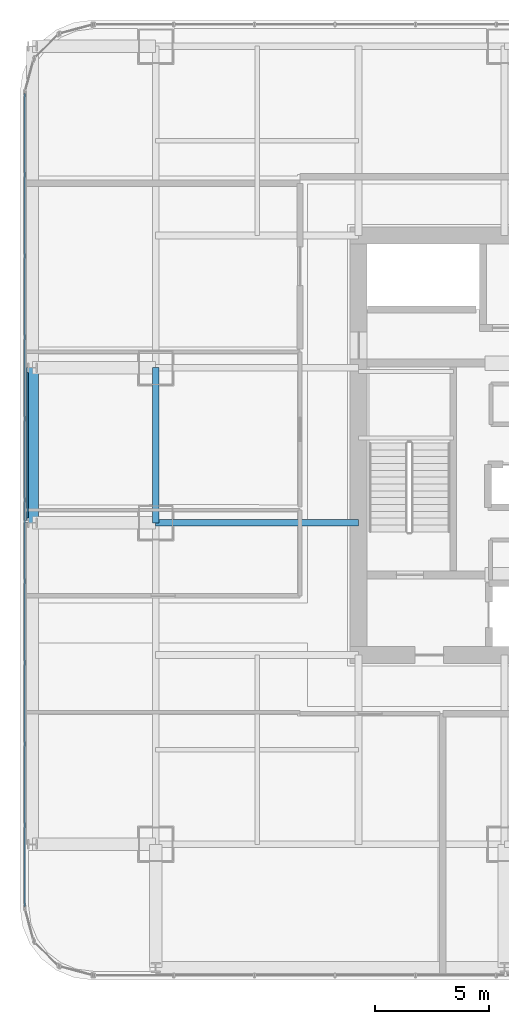
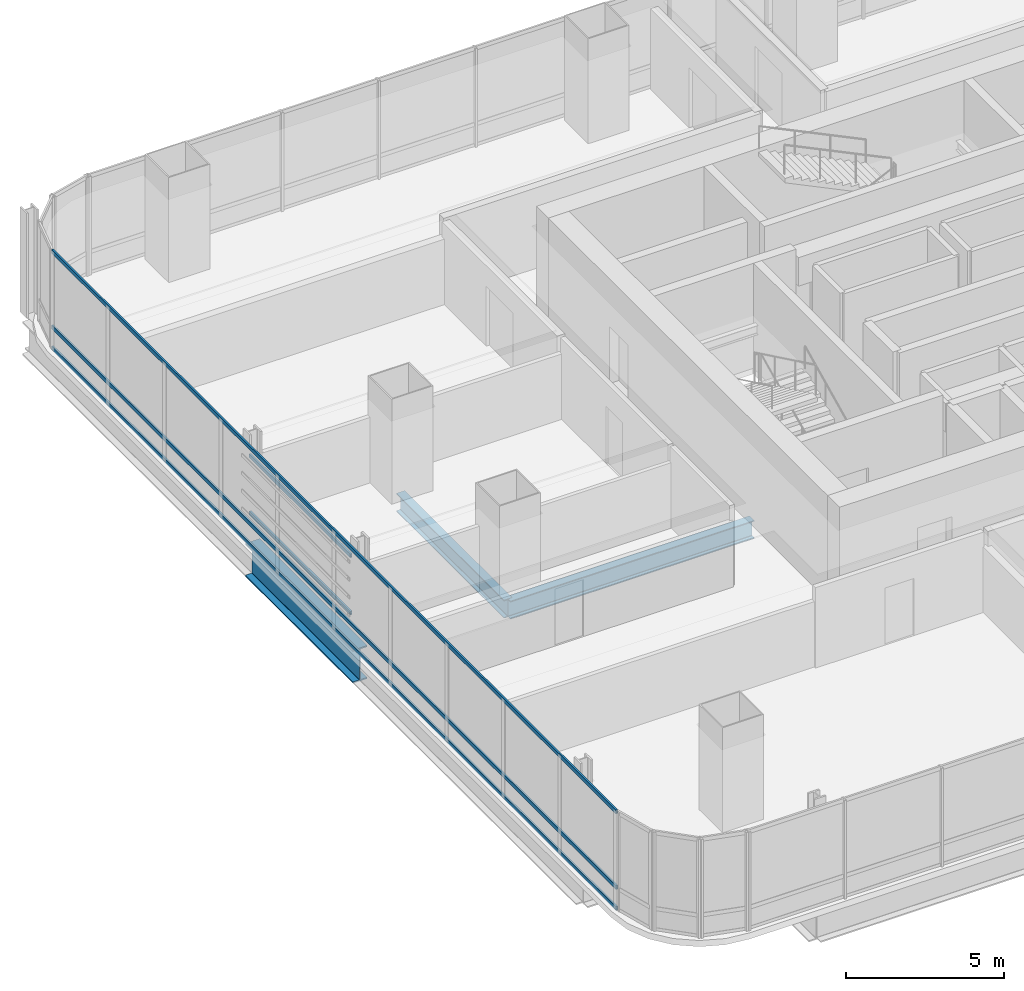
# One storey, part 10 of 36: 5 members, 3 beams, 1 element without a shape of its own.
"""IFC4 building model written with IfcOpenShell, lengths in metres."""

import ifcopenshell
import ifcopenshell.guid

model = None  # the IFC model being written
_history = None  # IfcOwnerHistory: only IFC2X3 demands one
_inside = {}  # id of a spatial element -> (the spatial element, [elements in it])
_under = {}  # id of a project, library or spatial element -> (it, [spatial elements below it])
_declared = {}  # id of a project -> (the project, [libraries it declares])
_typed = {}  # id of a type object -> (the type object, [elements of that type])
_made_of = {}  # id of a material, layer set ... -> (it, [elements and type objects made of it])


def new_model(schema):
    """Start an empty IFC model of exactly this schema.

    Asked for "IFC4X3", IfcOpenShell would pick the latest addendum, in which some entities
    have other attributes; the version numbers below select the first issue.
    IFC2X3 requires an IfcOwnerHistory on every rooted entity: one is made here for all.
    """
    global model, _history
    if schema == "IFC4X3":
        model = ifcopenshell.file(schema_version=(4, 3, 0, 0))
    else:
        model = ifcopenshell.file(schema=schema)
    _inside.clear()
    _under.clear()
    _declared.clear()
    _typed.clear()
    _made_of.clear()
    _history = None
    if model.schema == "IFC2X3":
        org = make("IfcOrganization", Name="unknown")
        user = make(
            "IfcPersonAndOrganization",
            ThePerson=make("IfcPerson", FamilyName="unknown"),
            TheOrganization=org,
        )
        app = make(
            "IfcApplication",
            ApplicationDeveloper=org,
            Version="unknown",
            ApplicationFullName="unknown",
            ApplicationIdentifier="unknown",
        )
        _history = make(
            "IfcOwnerHistory",
            OwningUser=user,
            OwningApplication=app,
            ChangeAction="ADDED",
            CreationDate=0,
        )
    return model


def make(cls, **values):
    """One entity of the class cls with the attributes given. An attribute that is None is left unset."""
    return model.create_entity(
        cls, **{name: value for name, value in values.items() if value is not None}
    )


def rooted(cls, **values):
    """An entity with a GlobalId (a new one), such as an element, a storey or a relation."""
    return make(cls, GlobalId=ifcopenshell.guid.new(), OwnerHistory=_history, **values)


def si_unit(unit_type, name, prefix=None):
    """IfcSIUnit, for example si_unit("LENGTHUNIT", "METRE", prefix="MILLI")."""
    return make("IfcSIUnit", UnitType=unit_type, Prefix=prefix, Name=name)


def assignment(units):
    """IfcUnitAssignment: the units of a project."""
    return None if units is None else make("IfcUnitAssignment", Units=units)


def point(xyz):
    """IfcCartesianPoint."""
    return None if xyz is None else make("IfcCartesianPoint", Coordinates=xyz)


def direction(xyz):
    """IfcDirection."""
    return None if xyz is None else make("IfcDirection", DirectionRatios=xyz)


def frame(location, z_axis=None, x_axis=None):
    """IfcAxis2Placement3D, a coordinate frame: its origin and axes. An axis left out is left unset."""
    return make(
        "IfcAxis2Placement3D",
        Location=point(location),
        Axis=direction(z_axis),
        RefDirection=direction(x_axis),
    )


def frame_2d(location, x_axis=None):
    """IfcAxis2Placement2D, a coordinate frame in the plane: its origin and x axis."""
    return make(
        "IfcAxis2Placement2D", Location=point(location), RefDirection=direction(x_axis)
    )


def origin():
    """The frame at (0, 0, 0) with its axes left unset."""
    return frame((0.0, 0.0, 0.0))


def origin_2d():
    """The frame at (0, 0) in the plane with its x axis left unset."""
    return frame_2d((0.0, 0.0))


def place(relative_to, where):
    """IfcLocalPlacement: puts the frame where relative to a parent placement (None: the world)."""
    return make(
        "IfcLocalPlacement", PlacementRelTo=relative_to, RelativePlacement=where
    )


def context(
    kind, dimensions, precision=None, world=None, true_north=None, identifier=None
):
    """IfcGeometricRepresentationContext, for example the 3D "Model" context."""
    return make(
        "IfcGeometricRepresentationContext",
        ContextIdentifier=identifier,
        ContextType=kind,
        CoordinateSpaceDimension=dimensions,
        Precision=precision,
        WorldCoordinateSystem=world,
        TrueNorth=true_north,
    )


def subcontext(parent, identifier, kind, view, scale=None):
    """IfcGeometricRepresentationSubContext, for example "Body" below "Model"."""
    return make(
        "IfcGeometricRepresentationSubContext",
        ContextIdentifier=identifier,
        ContextType=kind,
        ParentContext=parent,
        TargetScale=scale,
        TargetView=view,
    )


def project(units=None, contexts=None):
    """IfcProject with its units and contexts."""
    return rooted(
        "IfcProject",
        Name="project",
        RepresentationContexts=contexts,
        UnitsInContext=assignment(units),
    )


def spatial(cls, under=None, at=None, **own):
    """A site, building, storey or space (cls), placed at a placement, below another one or the project."""
    s = rooted(cls, ObjectPlacement=at, **own)
    if under is not None:
        _under.setdefault(under.id(), (under, []))[1].append(s)
    return s


def profile(cls, at=None, kind="AREA", **sizes):
    """A parametric profile (cls). Its sizes go by their IFC names, for example OverallWidth=200.0."""
    return make(cls, ProfileType=kind, Position=at, **sizes)


def hollow_rectangle(**sizes):
    """IfcRectangleHollowProfileDef."""
    return profile("IfcRectangleHollowProfileDef", **sizes)


def i_section(**sizes):
    """IfcIShapeProfileDef."""
    return profile("IfcIShapeProfileDef", **sizes)


def extrude(swept, where, along, depth):
    """IfcExtrudedAreaSolid: the profile swept, set in the frame where, extruded along a direction by depth."""
    return make(
        "IfcExtrudedAreaSolid",
        SweptArea=swept,
        Position=where,
        ExtrudedDirection=direction(along),
        Depth=depth,
    )


def shape(context_of_items, identifier, shape_type, items):
    """IfcShapeRepresentation: the items that make up one representation, for example the "Body"."""
    return make(
        "IfcShapeRepresentation",
        ContextOfItems=context_of_items,
        RepresentationIdentifier=identifier,
        RepresentationType=shape_type,
        Items=items,
    )


def material(Name=None, Category=None):
    """IfcMaterial."""
    return make("IfcMaterial", Name=Name, Category=Category)


def material_profile(
    of_material, cross_section, Name=None, Category=None, Priority=None
):
    """IfcMaterialProfile: a cross section and its material."""
    return make(
        "IfcMaterialProfile",
        Name=Name,
        Material=of_material,
        Profile=cross_section,
        Priority=Priority,
        Category=Category,
    )


def profile_set(profiles, Name=None, composite=None):
    """IfcMaterialProfileSet."""
    return make(
        "IfcMaterialProfileSet",
        Name=Name,
        MaterialProfiles=profiles,
        CompositeProfile=composite,
    )


def made_of(thing, what):
    """Note that an element or type object is made of a material, layer set ...; save() writes the relation."""
    if what is not None:
        _made_of.setdefault(what.id(), (what, []))[1].append(thing)
    return thing


def type_object(cls, material=None, **own):
    """A type object (cls), such as IfcWallType, which elements share."""
    return made_of(rooted(cls, **own), material)


def element(
    cls,
    number,
    at=None,
    inside=None,
    cuts=None,
    type_object=None,
    material=None,
    context=None,
    identifier="Body",
    shape_type=None,
    held_by="IfcProductDefinitionShape",
    body=None,
    shapes=None,
    **own,
):
    """One element of the class cls, such as IfcWall. Its Tag is "e" and its number.

    at: its placement. inside: the storey or other place that contains it. cuts: it is an
    opening in that element (IfcRelVoidsElement). A single representation is given by context,
    identifier, shape_type and body (its items); several are given by shapes. held_by: the class
    of the entity that holds the representations. save() writes the other relations.
    """
    e = rooted(cls, Tag="e%d" % number, ObjectPlacement=at, **own)
    if body is not None:
        shapes = [shape(context, identifier, shape_type, body)]
    if shapes is not None:
        e.Representation = make(held_by, Representations=shapes)
    if inside is not None:
        _inside.setdefault(inside.id(), (inside, []))[1].append(e)
    if cuts is not None:
        rooted(
            "IfcRelVoidsElement", RelatingBuildingElement=cuts, RelatedOpeningElement=e
        )
    if type_object is not None:
        _typed.setdefault(type_object.id(), (type_object, []))[1].append(e)
    return made_of(e, material)


def aggregate(whole, parts):
    """IfcRelAggregates: a whole, such as a stair, and the parts it consists of."""
    return rooted("IfcRelAggregates", RelatingObject=whole, RelatedObjects=parts)


def save(model, path):
    """Write the relations noted so far, then the file.

    IfcRelAggregates (storeys below a building ...), IfcRelContainedInSpatialStructure (elements
    in a storey), IfcRelDefinesByType, IfcRelAssociatesMaterial and IfcRelDeclares: one each for
    every whole, place, type object, material and project.
    """
    for whole, parts in _under.values():
        aggregate(whole, parts)
    for where, things in _inside.values():
        rooted(
            "IfcRelContainedInSpatialStructure",
            RelatedElements=things,
            RelatingStructure=where,
        )
    for kind, things in _typed.values():
        rooted("IfcRelDefinesByType", RelatedObjects=things, RelatingType=kind)
    for what, things in _made_of.values():
        rooted("IfcRelAssociatesMaterial", RelatedObjects=things, RelatingMaterial=what)
    for by, libraries in _declared.values():
        rooted("IfcRelDeclares", RelatingContext=by, RelatedDefinitions=libraries)
    model.write(path)


model = new_model("IFC4")

# Units and contexts
model_context = context("Model", 3, precision=1e-05, world=origin(), true_north=direction((0.0, 1.0)))
body_context = subcontext(model_context, "Body", "Model", "MODEL_VIEW")
ifc_project = project(units=[si_unit("LENGTHUNIT", "METRE"), si_unit("AREAUNIT", "SQUARE_METRE"), si_unit("VOLUMEUNIT", "CUBIC_METRE"), si_unit("PLANEANGLEUNIT", "RADIAN"), si_unit("MASSUNIT", "GRAM", prefix="KILO")], contexts=[model_context])

# Site, building, storey
site_placement = place(None, origin())
site = spatial("IfcSite", under=ifc_project, at=site_placement, CompositionType="ELEMENT")
building_placement = place(site_placement, origin())
building = spatial("IfcBuilding", under=site, at=building_placement, Name="Punatoya Terracotta Tower", CompositionType="ELEMENT")
storey_placement = place(building_placement, frame((0.0, 0.0, 48.449951171875)))
storey = spatial("IfcBuildingStorey", under=building, at=storey_placement, Name="L10", CompositionType="ELEMENT", Elevation=48.449951171875)

# Beams
ifc_material_1 = material(Name="Steel S355", Category="steel")
ifc_material_profile_1 = material_profile(ifc_material_1, i_section(OverallWidth=0.300048828125, OverallDepth=0.699951171875, WebThickness=0.01708984375, FlangeThickness=0.031982421875, FilletRadius=0.01806640625, at=origin_2d()))
ifc_profile_set_1 = profile_set([ifc_material_profile_1], Name="Steel S355")
beam_type_1 = type_object("IfcBeamType", Name="BM-PRI-700", PredefinedType="BEAM", material=ifc_profile_set_1)
beam_1_placement = place(storey_placement, frame((-19.10009765625, -3.39990234375, -0.58984375), z_axis=(0.0, 1.0, 0.0), x_axis=(-1.0, 0.0, 0.0)))
element("IfcBeam", 1, at=beam_1_placement, inside=storey, type_object=beam_type_1, Name="BM-L10-RG-W2", PredefinedType="BEAM", context=body_context, shape_type="SweptSolid", body=[
    extrude(i_section(OverallWidth=0.300048828125, OverallDepth=0.699951171875, WebThickness=0.01708984375, FlangeThickness=0.031982421875, FilletRadius=0.01806640625, at=origin_2d()), origin(), (0.0, 0.0, 1.0), 6.7998046875),
])
beam_2_placement = place(storey_placement, frame((-19.10009765625, -3.39990234375, -0.58984375), z_axis=(1.0, 0.0, 0.0), x_axis=(0.0, 1.0, 0.0)))
element("IfcBeam", 2, at=beam_2_placement, inside=storey, type_object=beam_type_1, Name="BM-L10-PR-WD", PredefinedType="BEAM", context=body_context, shape_type="SweptSolid", body=[
    extrude(i_section(OverallWidth=0.300048828125, OverallDepth=0.699951171875, WebThickness=0.01708984375, FlangeThickness=0.031982421875, FilletRadius=0.01806640625, at=origin_2d()), origin(), (0.0, 0.0, 1.0), 8.900146484375),
])
ifc_material_2 = material(Name="Steel S460", Category="steel")
ifc_material_profile_2 = material_profile(ifc_material_2, i_section(OverallWidth=0.52001953125, OverallDepth=1.280029296875, WebThickness=0.031982421875, FlangeThickness=0.050048828125, FilletRadius=0.01806640625, at=origin_2d()))
ifc_profile_set_2 = profile_set([ifc_material_profile_2], Name="Steel S460")
beam_type_2 = type_object("IfcBeamType", Name="BM-TG-NCK", PredefinedType="BEAM", material=ifc_profile_set_2)
beam_3_placement = place(storey_placement, frame((-24.5, -3.39990234375, -0.8798828125), z_axis=(0.0, 1.0, 0.0), x_axis=(-1.0, 0.0, 0.0)))
element("IfcBeam", 3, at=beam_3_placement, inside=storey, type_object=beam_type_2, Name="BM-L10-PER-W2", PredefinedType="BEAM", context=body_context, shape_type="SweptSolid", body=[
    extrude(i_section(OverallWidth=0.52001953125, OverallDepth=1.280029296875, WebThickness=0.031982421875, FlangeThickness=0.050048828125, FilletRadius=0.01806640625, at=origin_2d()), origin(), (0.0, 0.0, 1.0), 6.7998046875),
])

# Curtain wall, members
ifc_material_3 = material(Name="Aluminium 6063-T6 + Double Low-E Glass", Category="aluminium")
curtain_wall_type = type_object("IfcCurtainWallType", Name="CW-M1", PredefinedType="NOTDEFINED", material=ifc_material_3)
curtain_wall_placement = place(storey_placement, origin())
curtain_wall = element("IfcCurtainWall", 4, at=curtain_wall_placement, inside=storey, type_object=curtain_wall_type, Name="L10 Curtain Wall CW-L10-W13-1", PredefinedType="NOTDEFINED")
ifc_material_4 = material(Name="Aluminium 6063-T6", Category="aluminium")
ifc_material_profile_3 = material_profile(ifc_material_4, hollow_rectangle(XDim=0.068115234375, YDim=0.14990234375, WallThickness=0.00390625, at=origin_2d()))
ifc_profile_set_3 = profile_set([ifc_material_profile_3], Name="Aluminium 6063-T6")
member_type_1 = type_object("IfcMemberType", Name="CW-TRN-TYP", PredefinedType="USERDEFINED", material=ifc_profile_set_3)
member_1_placement = place(storey_placement, frame((-24.85009765625, 15.43701171875, 0.0400390625), z_axis=(0.0, -1.0, 0.0), x_axis=(1.0, 0.0, 0.0)))
member_1 = element("IfcMember", 5, at=member_1_placement, type_object=member_type_1, Name="CW-L10-W13-1 Transom 1", ObjectType="TRANSOM", PredefinedType="USERDEFINED", context=body_context, shape_type="SweptSolid", body=[
    extrude(hollow_rectangle(XDim=0.068115234375, YDim=0.14990234375, WallThickness=0.00390625, at=origin_2d()), origin(), (0.0, 0.0, 1.0), 35.673828125),
])
member_2_placement = place(storey_placement, frame((-24.85009765625, 15.43701171875, 0.85009765625), z_axis=(0.0, -1.0, 0.0), x_axis=(1.0, 0.0, 0.0)))
member_2 = element("IfcMember", 6, at=member_2_placement, type_object=member_type_1, Name="CW-L10-W13-1 Transom 2", ObjectType="TRANSOM", PredefinedType="USERDEFINED", context=body_context, shape_type="SweptSolid", body=[
    extrude(hollow_rectangle(XDim=0.068115234375, YDim=0.14990234375, WallThickness=0.00390625, at=origin_2d()), origin(), (0.0, 0.0, 1.0), 35.673828125),
])
member_3_placement = place(storey_placement, frame((-24.85009765625, 15.43701171875, 3.77001953125), z_axis=(0.0, -1.0, 0.0), x_axis=(1.0, 0.0, 0.0)))
member_3 = element("IfcMember", 7, at=member_3_placement, type_object=member_type_1, Name="CW-L10-W13-1 Transom 3", ObjectType="TRANSOM", PredefinedType="USERDEFINED", context=body_context, shape_type="SweptSolid", body=[
    extrude(hollow_rectangle(XDim=0.068115234375, YDim=0.14990234375, WallThickness=0.00390625, at=origin_2d()), origin(), (0.0, 0.0, 1.0), 35.673828125),
])
aggregate(curtain_wall, [member_1, member_2, member_3])

# Members
ifc_material_profile_4 = material_profile(ifc_material_1, hollow_rectangle(XDim=0.070068359375, YDim=0.139892578125, WallThickness=0.006103515625, at=origin_2d()))
ifc_profile_set_4 = profile_set([ifc_material_profile_4], Name="Steel S355")
member_type_2 = type_object("IfcMemberType", Name="MEM-BAG-RAIL", PredefinedType="USERDEFINED", material=ifc_profile_set_4)
for number, where, z_axis, x_axis, name in (
    (8, (-24.705078125, -3.1923828125, 1.050048828125), (0.0, 1.0, 0.0), (-1.0, 0.0, 0.0), "L10 Terracotta Baguette Carrier Rail BAG-L10-W-R1"),
    (9, (-24.705078125, -3.1923828125, 3.260009765625), (0.0, 1.0, 0.0), (-1.0, 0.0, 0.0), "L10 Terracotta Baguette Carrier Rail BAG-L10-W-R2"),
):
    element("IfcMember", number, at=place(storey_placement, frame(where, z_axis=z_axis, x_axis=x_axis)), inside=storey, type_object=member_type_2, Name=name, ObjectType="BAGUETTE", PredefinedType="USERDEFINED", context=body_context, shape_type="SweptSolid", body=[
        extrude(hollow_rectangle(XDim=0.070068359375, YDim=0.139892578125, WallThickness=0.006103515625, at=origin_2d()), origin(), (0.0, 0.0, 1.0), 6.384765625),
    ])

save(model, "model.ifc")
